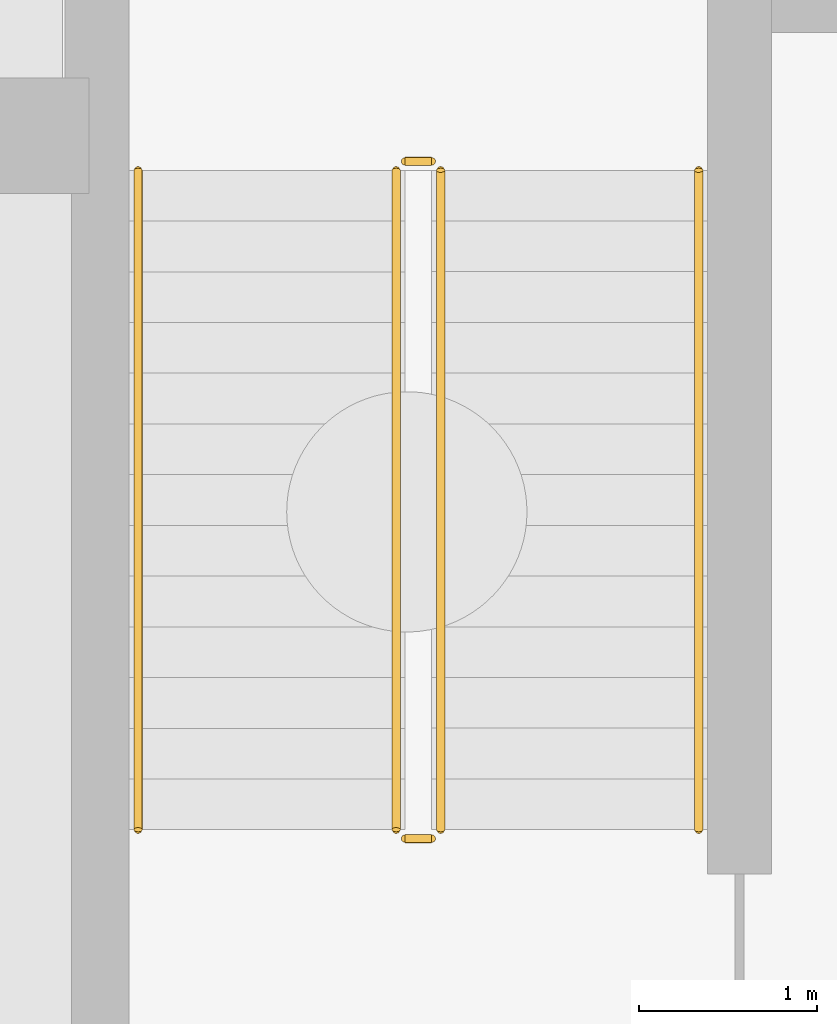
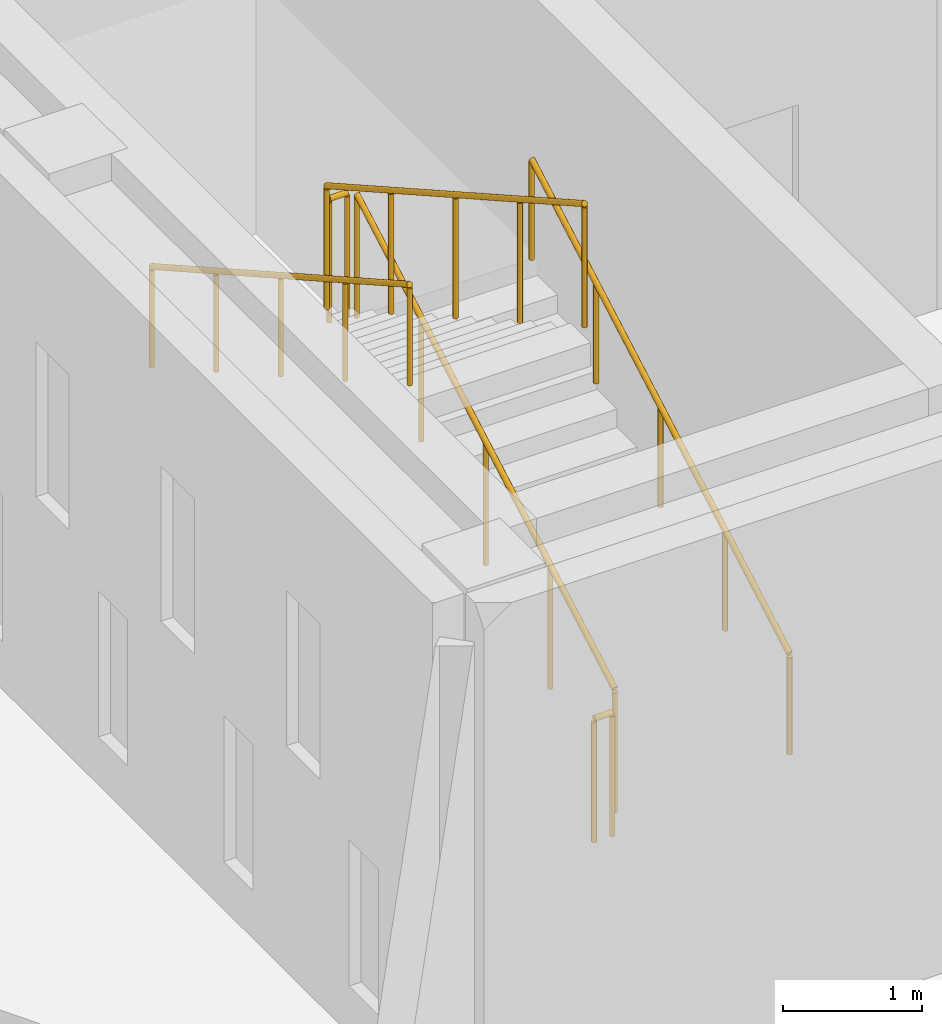
# One storey, part 75 of 84: 6 railings.
"""IFC4 building model written with IfcOpenShell, lengths in metres."""

from ifc_helpers import new_model, si_unit, direction, frame, origin, origin_2d, place, context, subcontext, project, spatial, circle, extrude, material, type_object, element, save


model = new_model("IFC4")

# Units and contexts
model_context = context("Model", 3, precision=1e-05, world=origin(), true_north=direction((0.0, 1.0)))
body_context = subcontext(model_context, "Body", "Model", "MODEL_VIEW")
ifc_project = project(units=[si_unit("LENGTHUNIT", "METRE"), si_unit("AREAUNIT", "SQUARE_METRE"), si_unit("VOLUMEUNIT", "CUBIC_METRE"), si_unit("PLANEANGLEUNIT", "RADIAN"), si_unit("MASSUNIT", "GRAM", prefix="KILO")], contexts=[model_context])

# Site, building, storey
site_placement = place(None, origin())
site = spatial("IfcSite", under=ifc_project, at=site_placement, CompositionType="ELEMENT")
building_placement = place(site_placement, origin())
building = spatial("IfcBuilding", under=site, at=building_placement, Name="Larkveld Mobility Hub", CompositionType="ELEMENT")
storey_placement = place(building_placement, origin())
storey = spatial("IfcBuildingStorey", under=building, at=storey_placement, Name="L00", CompositionType="ELEMENT", Elevation=0.0)

# Railings
ifc_material_1 = material(Name="Galvanized Steel S355JR balustrade", Category="steel")
railing_type_1 = type_object("IfcRailingType", Name="RL-GRD-1100", PredefinedType="GUARDRAIL", material=ifc_material_1)
railing_1_placement = place(storey_placement, frame((86.300048828125, 86.10009765625, 0.16064453125)))
element("IfcRailing", 1, at=railing_1_placement, inside=storey, type_object=railing_type_1, Name="L00 ST5 stair guard 1", PredefinedType="GUARDRAIL", context=body_context, shape_type="SweptSolid", body=[
    extrude(circle(Radius=0.02392578125, at=origin_2d()), frame((0.0, 0.0, 1.076171875), z_axis=(0.0, 0.871033886132, 0.491222932291), x_axis=(-1.0, 0.0, 0.0)), (0.0, 0.0, 1.0), 4.25341796875),
    extrude(circle(Radius=0.02099609375, at=origin_2d()), origin(), (0.0, 0.0, 1.0), 1.052001953125),
    extrude(circle(Radius=0.02099609375, at=origin_2d()), frame((0.0, 0.92626953125, 0.5224609375)), (0.0, 0.0, 1.0), 1.052001953125),
    extrude(circle(Radius=0.02099609375, at=origin_2d()), frame((0.0, 1.8525390625, 1.044677734375)), (0.0, 0.0, 1.0), 1.052001953125),
    extrude(circle(Radius=0.02099609375, at=origin_2d()), frame((0.0, 2.778564453125, 1.56689453125)), (0.0, 0.0, 1.0), 1.052001953125),
    extrude(circle(Radius=0.02099609375, at=origin_2d()), frame((0.0, 3.704833984375, 2.08935546875)), (0.0, 0.0, 1.0), 1.052001953125),
])
railing_2_placement = place(storey_placement, frame((86.25, 89.85498046875, 2.25)))
element("IfcRailing", 2, at=railing_2_placement, inside=storey, type_object=railing_type_1, Name="L00 ST5 stair guard 2", PredefinedType="GUARDRAIL", context=body_context, shape_type="SweptSolid", body=[
    extrude(circle(Radius=0.02392578125, at=origin_2d()), frame((0.0, 0.0, 1.076171875), z_axis=(-1.0, 0.0, 0.0), x_axis=(0.0, -1.0, 0.0)), (0.0, 0.0, 1.0), 0.14990234375),
    extrude(circle(Radius=0.02099609375, at=origin_2d()), origin(), (0.0, 0.0, 1.0), 1.052001953125),
    extrude(circle(Radius=0.02099609375, at=origin_2d()), frame((-0.14990234375, 0.0, 0.0)), (0.0, 0.0, 1.0), 1.052001953125),
])
railing_3_placement = place(storey_placement, frame((86.050048828125, 89.804931640625, 2.41064453125)))
element("IfcRailing", 3, at=railing_3_placement, inside=storey, type_object=railing_type_1, Name="L00 ST5 stair guard 3", PredefinedType="GUARDRAIL", context=body_context, shape_type="SweptSolid", body=[
    extrude(circle(Radius=0.02392578125, at=origin_2d()), frame((0.0, 0.0, 1.076171875), z_axis=(0.0, -0.871033886132, 0.491222932291), x_axis=(1.0, 0.0, 0.0)), (0.0, 0.0, 1.0), 4.25341796875),
    extrude(circle(Radius=0.02099609375, at=origin_2d()), origin(), (0.0, 0.0, 1.0), 1.052001953125),
    extrude(circle(Radius=0.02099609375, at=origin_2d()), frame((0.0, -0.92626953125, 0.5224609375)), (0.0, 0.0, 1.0), 1.052001953125),
    extrude(circle(Radius=0.02099609375, at=origin_2d()), frame((0.0, -1.8525390625, 1.044677734375)), (0.0, 0.0, 1.0), 1.052001953125),
    extrude(circle(Radius=0.02099609375, at=origin_2d()), frame((0.0, -2.778564453125, 1.56689453125)), (0.0, 0.0, 1.0), 1.052001953125),
    extrude(circle(Radius=0.02099609375, at=origin_2d()), frame((0.0, -3.704833984375, 2.08935546875)), (0.0, 0.0, 1.0), 1.052001953125),
])
railing_4_placement = place(storey_placement, frame((86.25, 86.050048828125, 0.0)))
element("IfcRailing", 4, at=railing_4_placement, inside=storey, type_object=railing_type_1, Name="L00 ST5 stair guard 4", PredefinedType="GUARDRAIL", context=body_context, shape_type="SweptSolid", body=[
    extrude(circle(Radius=0.02392578125, at=origin_2d()), frame((0.0, 0.0, 1.076171875), z_axis=(-1.0, 0.0, 0.0), x_axis=(0.0, -1.0, 0.0)), (0.0, 0.0, 1.0), 0.14990234375),
    extrude(circle(Radius=0.02099609375, at=origin_2d()), origin(), (0.0, 0.0, 1.0), 1.052001953125),
    extrude(circle(Radius=0.02099609375, at=origin_2d()), frame((-0.14990234375, 0.0, 0.0)), (0.0, 0.0, 1.0), 1.052001953125),
])
ifc_material_2 = material(Name="Brushed Steel S355JR tubular handrail", Category="steel")
railing_type_2 = type_object("IfcRailingType", Name="RL-HND-0900", PredefinedType="HANDRAIL", material=ifc_material_2)
railing_5_placement = place(storey_placement, frame((87.75, 86.10009765625, 0.16064453125)))
element("IfcRailing", 5, at=railing_5_placement, inside=storey, type_object=railing_type_2, Name="L00 ST5 stair handrail 1", PredefinedType="HANDRAIL", context=body_context, shape_type="SweptSolid", body=[
    extrude(circle(Radius=0.02392578125, at=origin_2d()), frame((0.0, 0.0, 0.8759765625), z_axis=(0.0, 0.871033886132, 0.491222932291), x_axis=(-1.0, 0.0, 0.0)), (0.0, 0.0, 1.0), 4.25341796875),
    extrude(circle(Radius=0.02099609375, at=origin_2d()), origin(), (0.0, 0.0, 1.0), 0.851806640625),
    extrude(circle(Radius=0.02099609375, at=origin_2d()), frame((0.0, 0.92626953125, 0.5224609375)), (0.0, 0.0, 1.0), 0.851806640625),
    extrude(circle(Radius=0.02099609375, at=origin_2d()), frame((0.0, 1.8525390625, 1.044677734375)), (0.0, 0.0, 1.0), 0.851806640625),
    extrude(circle(Radius=0.02099609375, at=origin_2d()), frame((0.0, 2.778564453125, 1.56689453125)), (0.0, 0.0, 1.0), 0.851806640625),
    extrude(circle(Radius=0.02099609375, at=origin_2d()), frame((0.0, 3.704833984375, 2.08935546875)), (0.0, 0.0, 1.0), 0.851806640625),
])
railing_6_placement = place(storey_placement, frame((84.60009765625, 89.804931640625, 2.41064453125)))
element("IfcRailing", 6, at=railing_6_placement, inside=storey, type_object=railing_type_2, Name="L00 ST5 stair handrail 2", PredefinedType="HANDRAIL", context=body_context, shape_type="SweptSolid", body=[
    extrude(circle(Radius=0.02392578125, at=origin_2d()), frame((0.0, 0.0, 0.8759765625), z_axis=(0.0, -0.871033886132, 0.491222932291), x_axis=(1.0, 0.0, 0.0)), (0.0, 0.0, 1.0), 4.25341796875),
    extrude(circle(Radius=0.02099609375, at=origin_2d()), origin(), (0.0, 0.0, 1.0), 0.851806640625),
    extrude(circle(Radius=0.02099609375, at=origin_2d()), frame((0.0, -0.92626953125, 0.5224609375)), (0.0, 0.0, 1.0), 0.851806640625),
    extrude(circle(Radius=0.02099609375, at=origin_2d()), frame((0.0, -1.8525390625, 1.044677734375)), (0.0, 0.0, 1.0), 0.851806640625),
    extrude(circle(Radius=0.02099609375, at=origin_2d()), frame((0.0, -2.778564453125, 1.56689453125)), (0.0, 0.0, 1.0), 0.851806640625),
    extrude(circle(Radius=0.02099609375, at=origin_2d()), frame((0.0, -3.704833984375, 2.08935546875)), (0.0, 0.0, 1.0), 0.851806640625),
])

save(model, "model.ifc")
